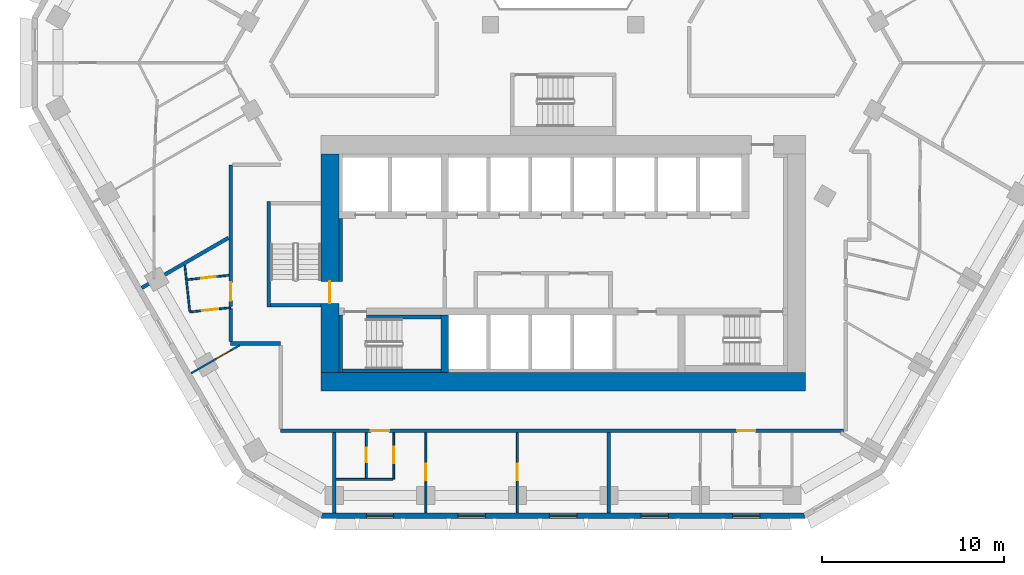
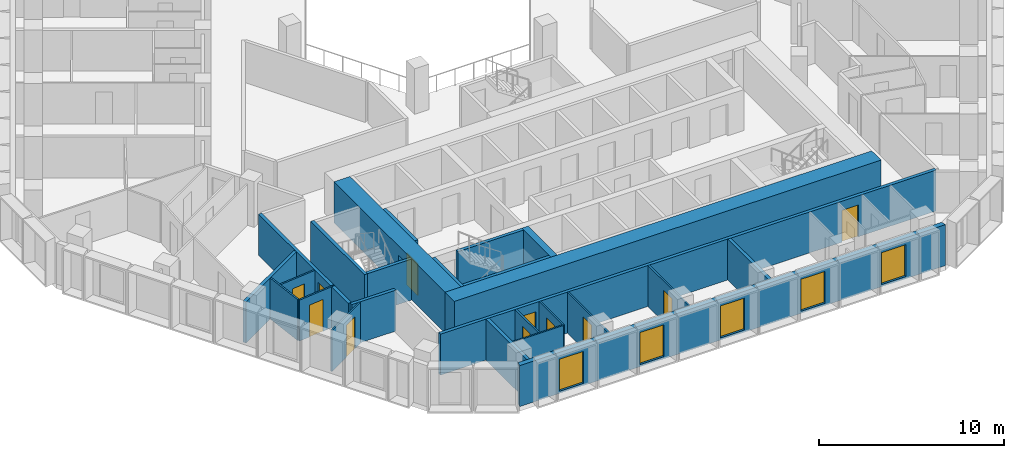
# One storey, part 3 of 15: 26 walls, 11 doors, 5 windows, 16 openings.
"""IFC4 building model written with IfcOpenShell, lengths in metres."""

import ifcopenshell
import ifcopenshell.guid

model = None  # the IFC model being written
_history = None  # IfcOwnerHistory: only IFC2X3 demands one
_inside = {}  # id of a spatial element -> (the spatial element, [elements in it])
_under = {}  # id of a project, library or spatial element -> (it, [spatial elements below it])
_declared = {}  # id of a project -> (the project, [libraries it declares])
_typed = {}  # id of a type object -> (the type object, [elements of that type])
_made_of = {}  # id of a material, layer set ... -> (it, [elements and type objects made of it])


def new_model(schema):
    """Start an empty IFC model of exactly this schema.

    Asked for "IFC4X3", IfcOpenShell would pick the latest addendum, in which some entities
    have other attributes; the version numbers below select the first issue.
    IFC2X3 requires an IfcOwnerHistory on every rooted entity: one is made here for all.
    """
    global model, _history
    if schema == "IFC4X3":
        model = ifcopenshell.file(schema_version=(4, 3, 0, 0))
    else:
        model = ifcopenshell.file(schema=schema)
    _inside.clear()
    _under.clear()
    _declared.clear()
    _typed.clear()
    _made_of.clear()
    _history = None
    if model.schema == "IFC2X3":
        org = make("IfcOrganization", Name="unknown")
        user = make(
            "IfcPersonAndOrganization",
            ThePerson=make("IfcPerson", FamilyName="unknown"),
            TheOrganization=org,
        )
        app = make(
            "IfcApplication",
            ApplicationDeveloper=org,
            Version="unknown",
            ApplicationFullName="unknown",
            ApplicationIdentifier="unknown",
        )
        _history = make(
            "IfcOwnerHistory",
            OwningUser=user,
            OwningApplication=app,
            ChangeAction="ADDED",
            CreationDate=0,
        )
    return model


def make(cls, **values):
    """One entity of the class cls with the attributes given. An attribute that is None is left unset."""
    return model.create_entity(
        cls, **{name: value for name, value in values.items() if value is not None}
    )


def rooted(cls, **values):
    """An entity with a GlobalId (a new one), such as an element, a storey or a relation."""
    return make(cls, GlobalId=ifcopenshell.guid.new(), OwnerHistory=_history, **values)


def si_unit(unit_type, name, prefix=None):
    """IfcSIUnit, for example si_unit("LENGTHUNIT", "METRE", prefix="MILLI")."""
    return make("IfcSIUnit", UnitType=unit_type, Prefix=prefix, Name=name)


def assignment(units):
    """IfcUnitAssignment: the units of a project."""
    return None if units is None else make("IfcUnitAssignment", Units=units)


def point(xyz):
    """IfcCartesianPoint."""
    return None if xyz is None else make("IfcCartesianPoint", Coordinates=xyz)


def direction(xyz):
    """IfcDirection."""
    return None if xyz is None else make("IfcDirection", DirectionRatios=xyz)


def frame(location, z_axis=None, x_axis=None):
    """IfcAxis2Placement3D, a coordinate frame: its origin and axes. An axis left out is left unset."""
    return make(
        "IfcAxis2Placement3D",
        Location=point(location),
        Axis=direction(z_axis),
        RefDirection=direction(x_axis),
    )


def frame_2d(location, x_axis=None):
    """IfcAxis2Placement2D, a coordinate frame in the plane: its origin and x axis."""
    return make(
        "IfcAxis2Placement2D", Location=point(location), RefDirection=direction(x_axis)
    )


def origin():
    """The frame at (0, 0, 0) with its axes left unset."""
    return frame((0.0, 0.0, 0.0))


def place(relative_to, where):
    """IfcLocalPlacement: puts the frame where relative to a parent placement (None: the world)."""
    return make(
        "IfcLocalPlacement", PlacementRelTo=relative_to, RelativePlacement=where
    )


def context(
    kind, dimensions, precision=None, world=None, true_north=None, identifier=None
):
    """IfcGeometricRepresentationContext, for example the 3D "Model" context."""
    return make(
        "IfcGeometricRepresentationContext",
        ContextIdentifier=identifier,
        ContextType=kind,
        CoordinateSpaceDimension=dimensions,
        Precision=precision,
        WorldCoordinateSystem=world,
        TrueNorth=true_north,
    )


def subcontext(parent, identifier, kind, view, scale=None):
    """IfcGeometricRepresentationSubContext, for example "Body" below "Model"."""
    return make(
        "IfcGeometricRepresentationSubContext",
        ContextIdentifier=identifier,
        ContextType=kind,
        ParentContext=parent,
        TargetScale=scale,
        TargetView=view,
    )


def project(units=None, contexts=None):
    """IfcProject with its units and contexts."""
    return rooted(
        "IfcProject",
        Name="project",
        RepresentationContexts=contexts,
        UnitsInContext=assignment(units),
    )


def spatial(cls, under=None, at=None, **own):
    """A site, building, storey or space (cls), placed at a placement, below another one or the project."""
    s = rooted(cls, ObjectPlacement=at, **own)
    if under is not None:
        _under.setdefault(under.id(), (under, []))[1].append(s)
    return s


def polyline(points):
    """IfcPolyline through the points."""
    return make("IfcPolyline", Points=[point(p) for p in points])


def profile(cls, at=None, kind="AREA", **sizes):
    """A parametric profile (cls). Its sizes go by their IFC names, for example OverallWidth=200.0."""
    return make(cls, ProfileType=kind, Position=at, **sizes)


def rectangle(**sizes):
    """IfcRectangleProfileDef."""
    return profile("IfcRectangleProfileDef", **sizes)


def outline(outer, holes=None, kind="AREA"):
    """IfcArbitraryClosedProfileDef: a profile drawn as a closed curve; with holes, ...WithVoids."""
    if holes is None:
        return make("IfcArbitraryClosedProfileDef", ProfileType=kind, OuterCurve=outer)
    return make(
        "IfcArbitraryProfileDefWithVoids",
        ProfileType=kind,
        OuterCurve=outer,
        InnerCurves=holes,
    )


def extrude(swept, where, along, depth):
    """IfcExtrudedAreaSolid: the profile swept, set in the frame where, extruded along a direction by depth."""
    return make(
        "IfcExtrudedAreaSolid",
        SweptArea=swept,
        Position=where,
        ExtrudedDirection=direction(along),
        Depth=depth,
    )


def shape(context_of_items, identifier, shape_type, items):
    """IfcShapeRepresentation: the items that make up one representation, for example the "Body"."""
    return make(
        "IfcShapeRepresentation",
        ContextOfItems=context_of_items,
        RepresentationIdentifier=identifier,
        RepresentationType=shape_type,
        Items=items,
    )


def material(Name=None, Category=None):
    """IfcMaterial."""
    return make("IfcMaterial", Name=Name, Category=Category)


def layer(
    of_material, thickness, ventilated=None, Name=None, Category=None, Priority=None
):
    """IfcMaterialLayer: one layer of a wall or slab, of a material (None: an air gap)."""
    return make(
        "IfcMaterialLayer",
        Material=of_material,
        LayerThickness=thickness,
        IsVentilated=ventilated,
        Name=Name,
        Category=Category,
        Priority=Priority,
    )


def layer_set(layers, Name=None):
    """IfcMaterialLayerSet."""
    return make("IfcMaterialLayerSet", MaterialLayers=layers, LayerSetName=Name)


def made_of(thing, what):
    """Note that an element or type object is made of a material, layer set ...; save() writes the relation."""
    if what is not None:
        _made_of.setdefault(what.id(), (what, []))[1].append(thing)
    return thing


def type_object(cls, material=None, **own):
    """A type object (cls), such as IfcWallType, which elements share."""
    return made_of(rooted(cls, **own), material)


def element(
    cls,
    number,
    at=None,
    inside=None,
    cuts=None,
    type_object=None,
    material=None,
    context=None,
    identifier="Body",
    shape_type=None,
    held_by="IfcProductDefinitionShape",
    body=None,
    shapes=None,
    **own,
):
    """One element of the class cls, such as IfcWall. Its Tag is "e" and its number.

    at: its placement. inside: the storey or other place that contains it. cuts: it is an
    opening in that element (IfcRelVoidsElement). A single representation is given by context,
    identifier, shape_type and body (its items); several are given by shapes. held_by: the class
    of the entity that holds the representations. save() writes the other relations.
    """
    e = rooted(cls, Tag="e%d" % number, ObjectPlacement=at, **own)
    if body is not None:
        shapes = [shape(context, identifier, shape_type, body)]
    if shapes is not None:
        e.Representation = make(held_by, Representations=shapes)
    if inside is not None:
        _inside.setdefault(inside.id(), (inside, []))[1].append(e)
    if cuts is not None:
        rooted(
            "IfcRelVoidsElement", RelatingBuildingElement=cuts, RelatedOpeningElement=e
        )
    if type_object is not None:
        _typed.setdefault(type_object.id(), (type_object, []))[1].append(e)
    return made_of(e, material)


def fill(opening, filler):
    """IfcRelFillsElement: the door or window that sits in an opening."""
    return rooted(
        "IfcRelFillsElement",
        RelatingOpeningElement=opening,
        RelatedBuildingElement=filler,
    )


def aggregate(whole, parts):
    """IfcRelAggregates: a whole, such as a stair, and the parts it consists of."""
    return rooted("IfcRelAggregates", RelatingObject=whole, RelatedObjects=parts)


def save(model, path):
    """Write the relations noted so far, then the file.

    IfcRelAggregates (storeys below a building ...), IfcRelContainedInSpatialStructure (elements
    in a storey), IfcRelDefinesByType, IfcRelAssociatesMaterial and IfcRelDeclares: one each for
    every whole, place, type object, material and project.
    """
    for whole, parts in _under.values():
        aggregate(whole, parts)
    for where, things in _inside.values():
        rooted(
            "IfcRelContainedInSpatialStructure",
            RelatedElements=things,
            RelatingStructure=where,
        )
    for kind, things in _typed.values():
        rooted("IfcRelDefinesByType", RelatedObjects=things, RelatingType=kind)
    for what, things in _made_of.values():
        rooted("IfcRelAssociatesMaterial", RelatedObjects=things, RelatingMaterial=what)
    for by, libraries in _declared.values():
        rooted("IfcRelDeclares", RelatingContext=by, RelatedDefinitions=libraries)
    model.write(path)


model = new_model("IFC4")

# Units and contexts
model_context = context("Model", 3, precision=1e-05, world=origin(), true_north=direction((0.0, 1.0)))
body_context = subcontext(model_context, "Body", "Model", "MODEL_VIEW")
ifc_project = project(units=[si_unit("LENGTHUNIT", "METRE"), si_unit("AREAUNIT", "SQUARE_METRE"), si_unit("VOLUMEUNIT", "CUBIC_METRE"), si_unit("PLANEANGLEUNIT", "RADIAN"), si_unit("MASSUNIT", "GRAM", prefix="KILO")], contexts=[model_context])

# Site, building, storey
site_placement = place(None, origin())
site = spatial("IfcSite", under=ifc_project, at=site_placement, CompositionType="ELEMENT")
building_placement = place(site_placement, origin())
building = spatial("IfcBuilding", under=site, at=building_placement, Name="Beryl Residences", CompositionType="ELEMENT")
storey_placement = place(building_placement, frame((0.0, 0.0, 102.0)))
storey = spatial("IfcBuildingStorey", under=building, at=storey_placement, Name="L31", CompositionType="ELEMENT", Elevation=102.0)

# Wall, openings, windows
ifc_material_1 = material(Name="Composite metal panel with mineral wool insulation")
ifc_layer_1 = layer(ifc_material_1, 0.300048828125)
ifc_layer_set_1 = layer_set([ifc_layer_1], Name="ES1 pale metal composite panel wall 300 mm")
wall_type_1 = type_object("IfcWallType", Name="ES1 pale metal composite panel wall 300 mm", PredefinedType="SOLIDWALL", material=ifc_layer_set_1)
wall_1_placement = place(storey_placement, frame((-13.279052734375, -25.85009765625, 0.0), z_axis=(0.0, 0.0, 1.0), x_axis=(1.0, 0.0, 0.0)))
wall_1 = element("IfcWall", 1, at=wall_1_placement, inside=storey, type_object=wall_type_1, Name="ES1 external wall L31 S", PredefinedType="SOLIDWALL", context=body_context, shape_type="SweptSolid", body=[
    extrude(outline(polyline([(0.0, -0.14990234375), (26.55810546875, -0.14990234375), (26.477783203125, 0.14990234375), (0.080322265625, 0.14990234375), (0.0, -0.14990234375)])), origin(), (0.0, 0.0, 1.0), 2.699951171875),
])
opening_1_placement = place(wall_1_placement, frame((2.48291015625, 0.0, 0.14990234375)))
opening_1 = element("IfcOpeningElement", 2, at=opening_1_placement, cuts=wall_1, Name="Opening W1", PredefinedType="OPENING", context=body_context, shape_type="SweptSolid", body=[
    extrude(rectangle(XDim=1.5, YDim=2.10009765625, at=frame_2d((0.75, 1.050048828125))), frame((0.0, 0.159912109375, 0.0), z_axis=(0.0, -1.0, 0.0), x_axis=(1.0, 0.0, 0.0)), (0.0, 0.0, 1.0), 0.320068359375),
])
opening_2_placement = place(wall_1_placement, frame((7.507080078125, 0.0, 0.14990234375)))
opening_2 = element("IfcOpeningElement", 3, at=opening_2_placement, cuts=wall_1, Name="Opening W1", PredefinedType="OPENING", context=body_context, shape_type="SweptSolid", body=[
    extrude(rectangle(XDim=1.5, YDim=2.10009765625, at=frame_2d((0.75, 1.050048828125))), frame((0.0, 0.159912109375, 0.0), z_axis=(0.0, -1.0, 0.0), x_axis=(1.0, 0.0, 0.0)), (0.0, 0.0, 1.0), 0.320068359375),
])
opening_3_placement = place(wall_1_placement, frame((12.529052734375, 0.0, 0.14990234375)))
opening_3 = element("IfcOpeningElement", 4, at=opening_3_placement, cuts=wall_1, Name="Opening W1", PredefinedType="OPENING", context=body_context, shape_type="SweptSolid", body=[
    extrude(rectangle(XDim=1.5, YDim=2.10009765625, at=frame_2d((0.75, 1.050048828125))), frame((0.0, 0.159912109375, 0.0), z_axis=(0.0, -1.0, 0.0), x_axis=(1.0, 0.0, 0.0)), (0.0, 0.0, 1.0), 0.320068359375),
])
opening_4_placement = place(wall_1_placement, frame((17.552978515625, 0.0, 0.14990234375)))
opening_4 = element("IfcOpeningElement", 5, at=opening_4_placement, cuts=wall_1, Name="Opening W1", PredefinedType="OPENING", context=body_context, shape_type="SweptSolid", body=[
    extrude(rectangle(XDim=1.5, YDim=2.10009765625, at=frame_2d((0.75, 1.050048828125))), frame((0.0, 0.159912109375, 0.0), z_axis=(0.0, -1.0, 0.0), x_axis=(1.0, 0.0, 0.0)), (0.0, 0.0, 1.0), 0.320068359375),
])
opening_5_placement = place(wall_1_placement, frame((22.574951171875, 0.0, 0.14990234375)))
opening_5 = element("IfcOpeningElement", 6, at=opening_5_placement, cuts=wall_1, Name="Opening W1", PredefinedType="OPENING", context=body_context, shape_type="SweptSolid", body=[
    extrude(rectangle(XDim=1.5, YDim=2.10009765625, at=frame_2d((0.75, 1.050048828125))), frame((0.0, 0.159912109375, 0.0), z_axis=(0.0, -1.0, 0.0), x_axis=(1.0, 0.0, 0.0)), (0.0, 0.0, 1.0), 0.320068359375),
])
ifc_material_2 = material(Name="Aluminium and clear glass", Category="aluminium")
window_type = type_object("IfcWindowType", Name="W1 cell window 1500 x 2100 mm", PartitioningType="SINGLE_PANEL", PredefinedType="WINDOW", material=ifc_material_2)
window_1_placement = place(opening_1_placement, origin())
window_1 = element("IfcWindow", 7, at=window_1_placement, inside=storey, type_object=window_type, Name="W1 window L31 S 2", OverallHeight=2.10009765625, OverallWidth=1.5, PartitioningType="SINGLE_PANEL", PredefinedType="WINDOW", context=body_context, shape_type="SweptSolid", body=[
    extrude(rectangle(XDim=1.5, YDim=2.10009765625, at=frame_2d((0.75, 1.050048828125))), frame((0.0, 0.030029296875, 0.0), z_axis=(0.0, -1.0, 0.0), x_axis=(1.0, 0.0, 0.0)), (0.0, 0.0, 1.0), 0.06005859375),
])
fill(opening_1, window_1)
window_2_placement = place(opening_2_placement, origin())
window_2 = element("IfcWindow", 8, at=window_2_placement, inside=storey, type_object=window_type, Name="W1 window L31 S 4", OverallHeight=2.10009765625, OverallWidth=1.5, PartitioningType="SINGLE_PANEL", PredefinedType="WINDOW", context=body_context, shape_type="SweptSolid", body=[
    extrude(rectangle(XDim=1.5, YDim=2.10009765625, at=frame_2d((0.75, 1.050048828125))), frame((0.0, 0.030029296875, 0.0), z_axis=(0.0, -1.0, 0.0), x_axis=(1.0, 0.0, 0.0)), (0.0, 0.0, 1.0), 0.06005859375),
])
fill(opening_2, window_2)
window_3_placement = place(opening_3_placement, origin())
window_3 = element("IfcWindow", 9, at=window_3_placement, inside=storey, type_object=window_type, Name="W1 window L31 S 6", OverallHeight=2.10009765625, OverallWidth=1.5, PartitioningType="SINGLE_PANEL", PredefinedType="WINDOW", context=body_context, shape_type="SweptSolid", body=[
    extrude(rectangle(XDim=1.5, YDim=2.10009765625, at=frame_2d((0.75, 1.050048828125))), frame((0.0, 0.030029296875, 0.0), z_axis=(0.0, -1.0, 0.0), x_axis=(1.0, 0.0, 0.0)), (0.0, 0.0, 1.0), 0.06005859375),
])
fill(opening_3, window_3)
window_4_placement = place(opening_4_placement, origin())
window_4 = element("IfcWindow", 10, at=window_4_placement, inside=storey, type_object=window_type, Name="W1 window L31 S 8", OverallHeight=2.10009765625, OverallWidth=1.5, PartitioningType="SINGLE_PANEL", PredefinedType="WINDOW", context=body_context, shape_type="SweptSolid", body=[
    extrude(rectangle(XDim=1.5, YDim=2.10009765625, at=frame_2d((0.75, 1.050048828125))), frame((0.0, 0.030029296875, 0.0), z_axis=(0.0, -1.0, 0.0), x_axis=(1.0, 0.0, 0.0)), (0.0, 0.0, 1.0), 0.06005859375),
])
fill(opening_4, window_4)
window_5_placement = place(opening_5_placement, origin())
window_5 = element("IfcWindow", 11, at=window_5_placement, inside=storey, type_object=window_type, Name="W1 window L31 S 10", OverallHeight=2.10009765625, OverallWidth=1.5, PartitioningType="SINGLE_PANEL", PredefinedType="WINDOW", context=body_context, shape_type="SweptSolid", body=[
    extrude(rectangle(XDim=1.5, YDim=2.10009765625, at=frame_2d((0.75, 1.050048828125))), frame((0.0, 0.030029296875, 0.0), z_axis=(0.0, -1.0, 0.0), x_axis=(1.0, 0.0, 0.0)), (0.0, 0.0, 1.0), 0.06005859375),
])
fill(opening_5, window_5)

# Wall
ifc_material_3 = material(Name="Gypsum board partition on steel studs", Category="steel")
ifc_layer_2 = layer(ifc_material_3, 0.10009765625)
ifc_layer_set_2 = layer_set([ifc_layer_2], Name="PT1 partition 100 mm gypsum board on steel studs")
wall_type_2 = type_object("IfcWallType", Name="PT1 partition 100 mm gypsum board on steel studs", PredefinedType="PARTITIONING", material=ifc_layer_set_2)
wall_2_placement = place(storey_placement, frame((-20.761962890625, -12.10205078125, 0.0), z_axis=(0.0, 0.0, 1.0), x_axis=(0.106118300401, -0.994353511745, 0.0)))
element("IfcWall", 12, at=wall_2_placement, inside=storey, type_object=wall_type_2, Name="Wall PT1 L31 006", PredefinedType="PARTITIONING", context=body_context, shape_type="SweptSolid", body=[
    extrude(rectangle(XDim=2.535400390625, YDim=0.10009765625, at=frame_2d((1.267578125, 0.0))), origin(), (0.0, 0.0, 1.0), 2.699951171875),
])

# Wall, opening, door
wall_3_placement = place(storey_placement, frame((-7.533935546875, -21.300048828125, 0.0), z_axis=(0.0, 0.0, 1.0), x_axis=(0.0, -1.0, 0.0)))
wall_3 = element("IfcWall", 13, at=wall_3_placement, inside=storey, type_object=wall_type_2, Name="Wall PT1 L31 010", PredefinedType="PARTITIONING", context=body_context, shape_type="SweptSolid", body=[
    extrude(rectangle(XDim=4.39990234375, YDim=0.10009765625, at=frame_2d((2.199951171875, 0.0))), origin(), (0.0, 0.0, 1.0), 2.699951171875),
])
opening_6_placement = place(wall_3_placement, frame((1.699951171875, 0.0, 0.0)))
opening_6 = element("IfcOpeningElement", 14, at=opening_6_placement, cuts=wall_3, Name="Opening D0904", PredefinedType="OPENING", context=body_context, shape_type="SweptSolid", body=[
    extrude(rectangle(XDim=0.89990234375, YDim=2.10009765625, at=frame_2d((0.449951171875, 1.050048828125))), frame((0.0, 0.06005859375, 0.0), z_axis=(0.0, -1.0, 0.0), x_axis=(1.0, 0.0, 0.0)), (0.0, 0.0, 1.0), 0.1201171875),
])
ifc_material_4 = material(Name="Timber door leaf", Category="wood")
door_type_1 = type_object("IfcDoorType", Name="D2 room door 900 x 2100 mm", OperationType="SINGLE_SWING_LEFT", PredefinedType="DOOR", material=ifc_material_4)
door_1_placement = place(opening_6_placement, origin())
door_1 = element("IfcDoor", 15, at=door_1_placement, inside=storey, type_object=door_type_1, Name="Door D0904 L31 001", OperationType="SINGLE_SWING_RIGHT", OverallHeight=2.10009765625, OverallWidth=0.89990234375, PredefinedType="DOOR", context=body_context, shape_type="SweptSolid", body=[
    extrude(rectangle(XDim=0.89990234375, YDim=2.10009765625, at=frame_2d((0.449951171875, 1.050048828125))), frame((0.0, 0.02490234375, 0.0), z_axis=(0.0, -1.0, 0.0), x_axis=(1.0, 0.0, 0.0)), (0.0, 0.0, 1.0), 0.050048828125),
])
fill(opening_6, door_1)

# Wall
wall_4_placement = place(storey_placement, frame((-12.45703125, -23.860107421875, 0.0), z_axis=(0.0, 0.0, 1.0), x_axis=(1.0, 0.0, 0.0)))
element("IfcWall", 16, at=wall_4_placement, inside=storey, type_object=wall_type_2, Name="Wall PT1 L31 028", PredefinedType="PARTITIONING", context=body_context, shape_type="SweptSolid", body=[
    extrude(rectangle(XDim=3.114013671875, YDim=0.10009765625, at=frame_2d((1.55712890625, 0.0))), origin(), (0.0, 0.0, 1.0), 2.699951171875),
])

# Wall, opening, door
wall_5_placement = place(storey_placement, frame((-20.6259765625, -12.902099609375, 0.0), z_axis=(0.0, 0.0, 1.0), x_axis=(0.994385570266, 0.105817473257, 0.0)))
wall_5 = element("IfcWall", 17, at=wall_5_placement, inside=storey, type_object=wall_type_2, Name="Wall PT1 L31 033", PredefinedType="PARTITIONING", context=body_context, shape_type="SweptSolid", body=[
    extrude(rectangle(XDim=2.288818359375, YDim=0.10009765625, at=frame_2d((1.14453125, 0.0))), origin(), (0.0, 0.0, 1.0), 2.699951171875),
])
opening_7_placement = place(wall_5_placement, frame((0.77001953125, 0.0, 0.0)))
opening_7 = element("IfcOpeningElement", 18, at=opening_7_placement, cuts=wall_5, Name="Opening D0960", PredefinedType="OPENING", context=body_context, shape_type="SweptSolid", body=[
    extrude(rectangle(XDim=0.800048828125, YDim=2.10009765625, at=frame_2d((0.39990234375, 1.050048828125))), frame((0.0, 0.06005859375, 0.0), z_axis=(0.0, -1.0, 0.0), x_axis=(1.0, 0.0, 0.0)), (0.0, 0.0, 1.0), 0.1201171875),
])
ifc_material_5 = material(Name="Timber door leaf", Category="wood")
door_type_2 = type_object("IfcDoorType", Name="D3 bathroom door 800 x 2100 mm", OperationType="SINGLE_SWING_LEFT", PredefinedType="DOOR", material=ifc_material_5)
door_2_placement = place(opening_7_placement, origin())
door_2 = element("IfcDoor", 19, at=door_2_placement, inside=storey, type_object=door_type_2, Name="Door D0960 L31 001", OperationType="SINGLE_SWING_RIGHT", OverallHeight=2.10009765625, OverallWidth=0.800048828125, PredefinedType="DOOR", context=body_context, shape_type="SweptSolid", body=[
    extrude(rectangle(XDim=0.800048828125, YDim=2.10009765625, at=frame_2d((0.39990234375, 1.050048828125))), frame((0.0, 0.02490234375, 0.0), z_axis=(0.0, -1.0, 0.0), x_axis=(1.0, 0.0, 0.0)), (0.0, 0.0, 1.0), 0.050048828125),
])
fill(opening_7, door_2)

wall_6_placement = place(storey_placement, frame((-20.487060546875, -14.674072265625, 0.0), z_axis=(0.0, 0.0, 1.0), x_axis=(0.994386484046, 0.105808885948, 0.0)))
wall_6 = element("IfcWall", 20, at=wall_6_placement, inside=storey, type_object=wall_type_2, Name="Wall PT1 L31 034", PredefinedType="PARTITIONING", context=body_context, shape_type="SweptSolid", body=[
    extrude(rectangle(XDim=2.249755859375, YDim=0.10009765625, at=frame_2d((1.125, 0.0))), origin(), (0.0, 0.0, 1.0), 2.699951171875),
])
opening_8_placement = place(wall_6_placement, frame((0.674072265625, 0.0, 0.0)))
opening_8 = element("IfcOpeningElement", 21, at=opening_8_placement, cuts=wall_6, Name="Opening D0959", PredefinedType="OPENING", context=body_context, shape_type="SweptSolid", body=[
    extrude(rectangle(XDim=0.89990234375, YDim=2.10009765625, at=frame_2d((0.449951171875, 1.050048828125))), frame((0.0, 0.06005859375, 0.0), z_axis=(0.0, -1.0, 0.0), x_axis=(1.0, 0.0, 0.0)), (0.0, 0.0, 1.0), 0.1201171875),
])
door_3_placement = place(opening_8_placement, origin())
door_3 = element("IfcDoor", 22, at=door_3_placement, inside=storey, type_object=door_type_1, Name="Door D0959 L31 001", OperationType="SINGLE_SWING_LEFT", OverallHeight=2.10009765625, OverallWidth=0.89990234375, PredefinedType="DOOR", context=body_context, shape_type="SweptSolid", body=[
    extrude(rectangle(XDim=0.89990234375, YDim=2.10009765625, at=frame_2d((0.449951171875, 1.050048828125))), frame((0.0, 0.02490234375, 0.0), z_axis=(0.0, -1.0, 0.0), x_axis=(1.0, 0.0, 0.0)), (0.0, 0.0, 1.0), 0.050048828125),
])
fill(opening_8, door_3)

wall_7_placement = place(storey_placement, frame((-9.2919921875, -23.85888671875, 0.0), z_axis=(0.0, 0.0, 1.0), x_axis=(0.0, 1.0, 0.0)))
wall_7 = element("IfcWall", 23, at=wall_7_placement, inside=storey, type_object=wall_type_2, Name="Wall PT1 L31 053", PredefinedType="PARTITIONING", context=body_context, shape_type="SweptSolid", body=[
    extrude(rectangle(XDim=2.558837890625, YDim=0.10009765625, at=frame_2d((1.279296875, 0.0))), origin(), (0.0, 0.0, 1.0), 2.699951171875),
])
opening_9_placement = place(wall_7_placement, frame((0.87890625, 0.0, 0.0)))
opening_9 = element("IfcOpeningElement", 24, at=opening_9_placement, cuts=wall_7, Name="Opening D0902", PredefinedType="OPENING", context=body_context, shape_type="SweptSolid", body=[
    extrude(rectangle(XDim=0.89990234375, YDim=2.10009765625, at=frame_2d((0.449951171875, 1.050048828125))), frame((0.0, 0.06005859375, 0.0), z_axis=(0.0, -1.0, 0.0), x_axis=(1.0, 0.0, 0.0)), (0.0, 0.0, 1.0), 0.1201171875),
])
door_4_placement = place(opening_9_placement, origin())
door_4 = element("IfcDoor", 25, at=door_4_placement, inside=storey, type_object=door_type_1, Name="Door D0902 L31 001", OperationType="SINGLE_SWING_RIGHT", OverallHeight=2.10009765625, OverallWidth=0.89990234375, PredefinedType="DOOR", context=body_context, shape_type="SweptSolid", body=[
    extrude(rectangle(XDim=0.89990234375, YDim=2.10009765625, at=frame_2d((0.449951171875, 1.050048828125))), frame((0.0, 0.02490234375, 0.0), z_axis=(0.0, -1.0, 0.0), x_axis=(1.0, 0.0, 0.0)), (0.0, 0.0, 1.0), 0.050048828125),
])
fill(opening_9, door_4)

wall_8_placement = place(storey_placement, frame((-10.799072265625, -23.81005859375, 0.0), z_axis=(0.0, 0.0, 1.0), x_axis=(0.0, 1.0, 0.0)))
wall_8 = element("IfcWall", 26, at=wall_8_placement, inside=storey, type_object=wall_type_2, Name="Wall PT1 L31 054", PredefinedType="PARTITIONING", context=body_context, shape_type="SweptSolid", body=[
    extrude(rectangle(XDim=2.510009765625, YDim=0.10009765625, at=frame_2d((1.2548828125, 0.0))), origin(), (0.0, 0.0, 1.0), 2.699951171875),
])
opening_10_placement = place(wall_8_placement, frame((0.8798828125, 0.0, 0.0)))
opening_10 = element("IfcOpeningElement", 27, at=opening_10_placement, cuts=wall_8, Name="Opening D0903", PredefinedType="OPENING", context=body_context, shape_type="SweptSolid", body=[
    extrude(rectangle(XDim=0.800048828125, YDim=2.10009765625, at=frame_2d((0.39990234375, 1.050048828125))), frame((0.0, 0.06005859375, 0.0), z_axis=(0.0, -1.0, 0.0), x_axis=(1.0, 0.0, 0.0)), (0.0, 0.0, 1.0), 0.1201171875),
])
door_5_placement = place(opening_10_placement, origin())
door_5 = element("IfcDoor", 28, at=door_5_placement, inside=storey, type_object=door_type_2, Name="Door D0903 L31 001", OperationType="SINGLE_SWING_LEFT", OverallHeight=2.10009765625, OverallWidth=0.800048828125, PredefinedType="DOOR", context=body_context, shape_type="SweptSolid", body=[
    extrude(rectangle(XDim=0.800048828125, YDim=2.10009765625, at=frame_2d((0.39990234375, 1.050048828125))), frame((0.0, 0.02490234375, 0.0), z_axis=(0.0, -1.0, 0.0), x_axis=(1.0, 0.0, 0.0)), (0.0, 0.0, 1.0), 0.050048828125),
])
fill(opening_10, door_5)

wall_9_placement = place(storey_placement, frame((-2.510986328125, -25.699951171875, 0.0), z_axis=(0.0, 0.0, 1.0), x_axis=(0.0, 1.0, 0.0)))
wall_9 = element("IfcWall", 29, at=wall_9_placement, inside=storey, type_object=wall_type_2, Name="Wall PT1 L31 056", PredefinedType="PARTITIONING", context=body_context, shape_type="SweptSolid", body=[
    extrude(rectangle(XDim=4.39990234375, YDim=0.10009765625, at=frame_2d((2.199951171875, 0.0))), origin(), (0.0, 0.0, 1.0), 2.699951171875),
])
opening_11_placement = place(wall_9_placement, frame((1.800048828125, 0.0, 0.0)))
opening_11 = element("IfcOpeningElement", 30, at=opening_11_placement, cuts=wall_9, Name="Opening D0905", PredefinedType="OPENING", context=body_context, shape_type="SweptSolid", body=[
    extrude(rectangle(XDim=0.89990234375, YDim=2.10009765625, at=frame_2d((0.449951171875, 1.050048828125))), frame((0.0, 0.06005859375, 0.0), z_axis=(0.0, -1.0, 0.0), x_axis=(1.0, 0.0, 0.0)), (0.0, 0.0, 1.0), 0.1201171875),
])
door_6_placement = place(opening_11_placement, origin())
door_6 = element("IfcDoor", 31, at=door_6_placement, inside=storey, type_object=door_type_1, Name="Door D0905 L31 001", OperationType="SINGLE_SWING_LEFT", OverallHeight=2.10009765625, OverallWidth=0.89990234375, PredefinedType="DOOR", context=body_context, shape_type="SweptSolid", body=[
    extrude(rectangle(XDim=0.89990234375, YDim=2.10009765625, at=frame_2d((0.449951171875, 1.050048828125))), frame((0.0, 0.02490234375, 0.0), z_axis=(0.0, -1.0, 0.0), x_axis=(1.0, 0.0, 0.0)), (0.0, 0.0, 1.0), 0.050048828125),
])
fill(opening_11, door_6)

wall_10_placement = place(storey_placement, frame((-20.416015625, -18.0380859375, 0.0), z_axis=(0.0, 0.0, 1.0), x_axis=(0.866026989333, 0.499997253739, 0.0)))
wall_10 = element("IfcWall", 32, at=wall_10_placement, inside=storey, type_object=wall_type_2, Name="Wall PT1 L31 059", PredefinedType="PARTITIONING", context=body_context, shape_type="SweptSolid", body=[
    extrude(rectangle(XDim=3.076171875, YDim=0.10009765625, at=frame_2d((1.5380859375, 0.0))), origin(), (0.0, 0.0, 1.0), 2.699951171875),
])
opening_12_placement = place(wall_10_placement, frame((1.587890625, 0.0, 0.0)))
opening_12 = element("IfcOpeningElement", 33, at=opening_12_placement, cuts=wall_10, Name="Opening D0961", PredefinedType="OPENING", context=body_context, shape_type="SweptSolid", body=[
    extrude(rectangle(XDim=0.89990234375, YDim=2.10009765625, at=frame_2d((0.449951171875, 1.050048828125))), frame((0.0, 0.06005859375, 0.0), z_axis=(0.0, -1.0, 0.0), x_axis=(1.0, 0.0, 0.0)), (0.0, 0.0, 1.0), 0.1201171875),
])
door_7_placement = place(opening_12_placement, origin())
door_7 = element("IfcDoor", 34, at=door_7_placement, inside=storey, type_object=door_type_1, Name="Door D0961 L31 001", OperationType="SINGLE_SWING_LEFT", OverallHeight=2.10009765625, OverallWidth=0.89990234375, PredefinedType="DOOR", context=body_context, shape_type="SweptSolid", body=[
    extrude(rectangle(XDim=0.89990234375, YDim=2.10009765625, at=frame_2d((0.449951171875, 1.050048828125))), frame((0.0, 0.02490234375, 0.0), z_axis=(0.0, -1.0, 0.0), x_axis=(1.0, 0.0, 0.0)), (0.0, 0.0, 1.0), 0.050048828125),
])
fill(opening_12, door_7)

# Walls
ifc_material_6 = material(Name="Concrete masonry", Category="masonry")
ifc_layer_3 = layer(ifc_material_6, 0.199951171875)
ifc_layer_set_3 = layer_set([ifc_layer_3], Name="PT13 lobby wall 200 mm")
wall_type_3 = type_object("IfcWallType", Name="PT13 lobby wall 200 mm", PredefinedType="PARTITIONING", material=ifc_layer_set_3)
wall_11_placement = place(storey_placement, frame((-12.199951171875, -13.0, 0.0), z_axis=(0.0, 0.0, 1.0), x_axis=(0.0, 1.0, 0.0)))
element("IfcWall", 35, at=wall_11_placement, inside=storey, type_object=wall_type_3, Name="Lobby wall 05", PredefinedType="PARTITIONING", context=body_context, shape_type="SweptSolid", body=[
    extrude(rectangle(XDim=3.449951171875, YDim=0.199951171875, at=frame_2d((1.72509765625, 0.0))), origin(), (0.0, 0.0, 1.0), 2.699951171875),
])
ifc_material_7 = material(Name="Acoustic double stud gypsum board wall")
ifc_layer_4 = layer(ifc_material_7, 0.199951171875)
ifc_layer_set_4 = layer_set([ifc_layer_4], Name="PT3 party wall 200 mm acoustic double stud")
wall_type_4 = type_object("IfcWallType", Name="PT3 party wall 200 mm acoustic double stud", PredefinedType="PARTITIONING", material=ifc_layer_set_4)
for number, where, z_axis, x_axis, name in (
    (36, (2.511962890625, -25.699951171875, 0.0), (0.0, 0.0, 1.0), (0.0, 1.0, 0.0), "Wall PT3 L31 007"),
    (37, (-12.556884765625, -25.699951171875, 0.0), (0.0, 0.0, 1.0), (0.0, 1.0, 0.0), "Wall PT3 L31 009"),
):
    element("IfcWall", number, at=place(storey_placement, frame(where, z_axis=z_axis, x_axis=x_axis)), inside=storey, type_object=wall_type_4, Name=name, PredefinedType="PARTITIONING", context=body_context, shape_type="SweptSolid", body=[
        extrude(rectangle(XDim=4.39990234375, YDim=0.199951171875, at=frame_2d((2.199951171875, 0.0))), origin(), (0.0, 0.0, 1.0), 2.699951171875),
    ])
wall_12_placement = place(storey_placement, frame((-23.123046875, -13.35009765625, 0.0), z_axis=(0.0, 0.0, 1.0), x_axis=(0.866013095437, 0.500021318078, 0.0)))
element("IfcWall", 38, at=wall_12_placement, inside=storey, type_object=wall_type_4, Name="Wall PT3 L31 010", PredefinedType="PARTITIONING", context=body_context, shape_type="SweptSolid", body=[
    extrude(rectangle(XDim=5.491943359375, YDim=0.199951171875, at=frame_2d((2.74609375, 0.0))), origin(), (0.0, 0.0, 1.0), 2.699951171875),
])
ifc_material_8 = material(Name="Double stud gypsum board wall")
ifc_layer_5 = layer(ifc_material_8, 0.199951171875)
ifc_layer_set_5 = layer_set([ifc_layer_5], Name="PT4 corridor wall 200 mm double stud")
wall_type_5 = type_object("IfcWallType", Name="PT4 corridor wall 200 mm double stud", PredefinedType="PARTITIONING", material=ifc_layer_set_5)
wall_13_placement = place(storey_placement, frame((-18.25, -14.486083984375, 0.0), z_axis=(0.0, 0.0, 1.0), x_axis=(0.0, -1.0, 0.0)))
element("IfcWall", 39, at=wall_13_placement, inside=storey, type_object=wall_type_5, Name="Wall PT4 L31 008", PredefinedType="PARTITIONING", context=body_context, shape_type="SweptSolid", body=[
    extrude(rectangle(XDim=1.81298828125, YDim=0.199951171875, at=frame_2d((0.906494140625, 0.0))), origin(), (0.0, 0.0, 1.0), 2.699951171875),
])
wall_14_placement = place(storey_placement, frame((-18.2490234375, -16.39990234375, 0.0), z_axis=(0.0, 0.0, 1.0), x_axis=(1.0, 0.0, 0.0)))
element("IfcWall", 40, at=wall_14_placement, inside=storey, type_object=wall_type_5, Name="Wall PT4 L31 015", PredefinedType="PARTITIONING", context=body_context, shape_type="SweptSolid", body=[
    extrude(rectangle(XDim=2.748046875, YDim=0.199951171875, at=frame_2d((1.3740234375, 0.0))), origin(), (0.0, 0.0, 1.0), 2.699951171875),
])

# Wall, openings, doors
wall_15_placement = place(storey_placement, frame((-15.4990234375, -21.199951171875, 0.0), z_axis=(0.0, 0.0, 1.0), x_axis=(1.0, 0.0, 0.0)))
wall_15 = element("IfcWall", 41, at=wall_15_placement, inside=storey, type_object=wall_type_5, Name="Wall PT4 L31 016", PredefinedType="PARTITIONING", context=body_context, shape_type="SweptSolid", body=[
    extrude(rectangle(XDim=30.89794921875, YDim=0.199951171875, at=frame_2d((15.448974609375, 0.0))), origin(), (0.0, 0.0, 1.0), 2.699951171875),
])
opening_13_placement = place(wall_15_placement, frame((4.9541015625, 0.0, 0.0)))
opening_13 = element("IfcOpeningElement", 42, at=opening_13_placement, cuts=wall_15, Name="Opening D0901", PredefinedType="OPENING", context=body_context, shape_type="SweptSolid", body=[
    extrude(rectangle(XDim=1.0, YDim=2.10009765625, at=frame_2d((0.5, 1.050048828125))), frame((0.0, 0.10986328125, 0.0), z_axis=(0.0, -1.0, 0.0), x_axis=(1.0, 0.0, 0.0)), (0.0, 0.0, 1.0), 0.219970703125),
])
opening_14_placement = place(wall_15_placement, frame((25.0458984375, 0.0, 0.0)))
opening_14 = element("IfcOpeningElement", 43, at=opening_14_placement, cuts=wall_15, Name="Opening D0906", PredefinedType="OPENING", context=body_context, shape_type="SweptSolid", body=[
    extrude(rectangle(XDim=1.0, YDim=2.10009765625, at=frame_2d((0.5, 1.050048828125))), frame((0.0, 0.10986328125, 0.0), z_axis=(0.0, -1.0, 0.0), x_axis=(1.0, 0.0, 0.0)), (0.0, 0.0, 1.0), 0.219970703125),
])
ifc_material_9 = material(Name="Timber door leaf", Category="wood")
door_type_3 = type_object("IfcDoorType", Name="D1 flat entrance door 1000 x 2100 mm", OperationType="SINGLE_SWING_LEFT", PredefinedType="DOOR", material=ifc_material_9)
door_8_placement = place(opening_13_placement, origin())
door_8 = element("IfcDoor", 44, at=door_8_placement, inside=storey, type_object=door_type_3, Name="Door D0901 L31 001", OperationType="SINGLE_SWING_LEFT", OverallHeight=2.10009765625, OverallWidth=1.0, PredefinedType="DOOR", context=body_context, shape_type="SweptSolid", body=[
    extrude(rectangle(XDim=1.0, YDim=2.10009765625, at=frame_2d((0.5, 1.050048828125))), frame((0.0, 0.02490234375, 0.0), z_axis=(0.0, -1.0, 0.0), x_axis=(1.0, 0.0, 0.0)), (0.0, 0.0, 1.0), 0.050048828125),
])
fill(opening_13, door_8)
door_9_placement = place(opening_14_placement, origin())
door_9 = element("IfcDoor", 45, at=door_9_placement, inside=storey, type_object=door_type_3, Name="Door D0906 L31 001", OperationType="SINGLE_SWING_RIGHT", OverallHeight=2.10009765625, OverallWidth=1.0, PredefinedType="DOOR", context=body_context, shape_type="SweptSolid", body=[
    extrude(rectangle(XDim=1.0, YDim=2.10009765625, at=frame_2d((0.5, 1.050048828125))), frame((0.0, 0.02490234375, 0.0), z_axis=(0.0, -1.0, 0.0), x_axis=(1.0, 0.0, 0.0)), (0.0, 0.0, 1.0), 0.050048828125),
])
fill(opening_14, door_9)

# Wall, opening, door
wall_16_placement = place(storey_placement, frame((-18.25, -14.385986328125, 0.0), z_axis=(0.0, 0.0, 1.0), x_axis=(0.0, 1.0, 0.0)))
wall_16 = element("IfcWall", 46, at=wall_16_placement, inside=storey, type_object=wall_type_5, Name="Wall PT4 L31 034", PredefinedType="PARTITIONING", context=body_context, shape_type="SweptSolid", body=[
    extrude(rectangle(XDim=7.785888671875, YDim=0.199951171875, at=frame_2d((3.89306640625, 0.0))), origin(), (0.0, 0.0, 1.0), 2.699951171875),
])
opening_15_placement = place(wall_16_placement, frame((0.340087890625, 0.0, 0.0)))
opening_15 = element("IfcOpeningElement", 47, at=opening_15_placement, cuts=wall_16, Name="Opening D0958", PredefinedType="OPENING", context=body_context, shape_type="SweptSolid", body=[
    extrude(rectangle(XDim=1.0, YDim=2.10009765625, at=frame_2d((0.5, 1.050048828125))), frame((0.0, 0.10986328125, 0.0), z_axis=(0.0, -1.0, 0.0), x_axis=(1.0, 0.0, 0.0)), (0.0, 0.0, 1.0), 0.219970703125),
])
door_10_placement = place(opening_15_placement, origin())
door_10 = element("IfcDoor", 48, at=door_10_placement, inside=storey, type_object=door_type_3, Name="Door D0958 L31 001", OperationType="SINGLE_SWING_RIGHT", OverallHeight=2.10009765625, OverallWidth=1.0, PredefinedType="DOOR", context=body_context, shape_type="SweptSolid", body=[
    extrude(rectangle(XDim=1.0, YDim=2.10009765625, at=frame_2d((0.5, 1.050048828125))), frame((0.0, 0.02490234375, 0.0), z_axis=(0.0, -1.0, 0.0), x_axis=(1.0, 0.0, 0.0)), (0.0, 0.0, 1.0), 0.050048828125),
])
fill(opening_15, door_10)

# Walls
ifc_material_10 = material(Name="Concrete C40/50", Category="concrete")
ifc_layer_6 = layer(ifc_material_10, 0.199951171875)
ifc_layer_set_6 = layer_set([ifc_layer_6], Name="PT5 stair enclosure wall 200 mm reinforced concrete C40/50")
wall_type_6 = type_object("IfcWallType", Name="PT5 stair enclosure wall 200 mm reinforced concrete C40/50", PredefinedType="SOLIDWALL", material=ifc_layer_set_6)
wall_17_placement = place(storey_placement, frame((-16.14990234375, -14.39990234375, 0.0), z_axis=(0.0, 0.0, 1.0), x_axis=(0.0, 1.0, 0.0)))
element("IfcWall", 49, at=wall_17_placement, inside=storey, type_object=wall_type_6, Name="Stair wall 01", PredefinedType="SOLIDWALL", context=body_context, shape_type="SweptSolid", body=[
    extrude(rectangle(XDim=5.7998046875, YDim=0.199951171875, at=frame_2d((2.89990234375, 0.0))), origin(), (0.0, 0.0, 1.0), 2.699951171875),
])
wall_18_placement = place(storey_placement, frame((-16.050048828125, -14.300048828125, 0.0), z_axis=(0.0, 0.0, 1.0), x_axis=(1.0, 0.0, 0.0)))
element("IfcWall", 50, at=wall_18_placement, inside=storey, type_object=wall_type_6, Name="Stair wall 02", PredefinedType="SOLIDWALL", context=body_context, shape_type="SweptSolid", body=[
    extrude(rectangle(XDim=2.75, YDim=0.199951171875, at=frame_2d((1.375, 0.0))), origin(), (0.0, 0.0, 1.0), 2.699951171875),
])
wall_19_placement = place(storey_placement, frame((-12.199951171875, -18.0, 0.0), z_axis=(0.0, 0.0, 1.0), x_axis=(0.0, 1.0, 0.0)))
element("IfcWall", 51, at=wall_19_placement, inside=storey, type_object=wall_type_6, Name="Stair wall 04", PredefinedType="SOLIDWALL", context=body_context, shape_type="SweptSolid", body=[
    extrude(rectangle(XDim=3.14990234375, YDim=0.199951171875, at=frame_2d((1.574951171875, 0.0))), origin(), (0.0, 0.0, 1.0), 2.699951171875),
])
wall_20_placement = place(storey_placement, frame((-12.10009765625, -17.89990234375, 0.0), z_axis=(0.0, 0.0, 1.0), x_axis=(1.0, 0.0, 0.0)))
element("IfcWall", 52, at=wall_20_placement, inside=storey, type_object=wall_type_6, Name="Stair wall 07", PredefinedType="SOLIDWALL", context=body_context, shape_type="SweptSolid", body=[
    extrude(rectangle(XDim=5.400146484375, YDim=0.199951171875, at=frame_2d((2.7001953125, 0.0))), origin(), (0.0, 0.0, 1.0), 2.699951171875),
])
wall_21_placement = place(storey_placement, frame((-10.800048828125, -14.949951171875, 0.0), z_axis=(0.0, 0.0, 1.0), x_axis=(1.0, 0.0, 0.0)))
element("IfcWall", 53, at=wall_21_placement, inside=storey, type_object=wall_type_6, Name="Stair wall 09", PredefinedType="SOLIDWALL", context=body_context, shape_type="SweptSolid", body=[
    extrude(rectangle(XDim=4.10009765625, YDim=0.199951171875, at=frame_2d((2.050048828125, 0.0))), origin(), (0.0, 0.0, 1.0), 2.699951171875),
])
ifc_material_11 = material(Name="Concrete C70/85", Category="concrete")
ifc_layer_7 = layer(ifc_material_11, 1.0)
ifc_layer_set_7 = layer_set([ifc_layer_7], Name="SW2 core outer wall 1000 mm C70/85")
wall_type_7 = type_object("IfcWallType", Name="SW2 core outer wall 1000 mm C70/85", PredefinedType="SHEAR", material=ifc_layer_set_7)
wall_22_placement = place(storey_placement, frame((-13.300048828125, -18.5, 0.0), z_axis=(0.0, 0.0, 1.0), x_axis=(1.0, 0.0, 0.0)))
element("IfcWall", 54, at=wall_22_placement, inside=storey, type_object=wall_type_7, Name="Core wall S L31", PredefinedType="SHEAR", context=body_context, shape_type="SweptSolid", body=[
    extrude(rectangle(XDim=26.60009765625, YDim=1.0, at=frame_2d((13.300048828125, 0.0))), origin(), (0.0, 0.0, 1.0), 2.699951171875),
])

# Wall, opening, door
wall_23_placement = place(storey_placement, frame((-12.800048828125, -18.0, 0.0), z_axis=(0.0, 0.0, 1.0), x_axis=(0.0, 1.0, 0.0)))
wall_23 = element("IfcWall", 55, at=wall_23_placement, inside=storey, type_object=wall_type_7, Name="Core wall W L31", PredefinedType="SHEAR", context=body_context, shape_type="SweptSolid", body=[
    extrude(rectangle(XDim=12.0, YDim=1.0, at=frame_2d((6.0, 0.0))), origin(), (0.0, 0.0, 1.0), 2.699951171875),
])
opening_16_placement = place(wall_23_placement, frame((3.800048828125, 0.0, 0.0)))
opening_16 = element("IfcOpeningElement", 56, at=opening_16_placement, cuts=wall_23, Name="Opening SD-2", PredefinedType="OPENING", context=body_context, shape_type="SweptSolid", body=[
    extrude(rectangle(XDim=1.199951171875, YDim=2.10009765625, at=frame_2d((0.60009765625, 1.050048828125))), frame((0.0, 0.510009765625, 0.0), z_axis=(0.0, -1.0, 0.0), x_axis=(1.0, 0.0, 0.0)), (0.0, 0.0, 1.0), 1.02001953125),
])
ifc_material_12 = material(Name="Steel door leaf in steel frame", Category="steel")
door_type_4 = type_object("IfcDoorType", Name="D4 stair door 1200 x 2100 mm", OperationType="SINGLE_SWING_LEFT", PredefinedType="DOOR", material=ifc_material_12)
door_11_placement = place(opening_16_placement, origin())
door_11 = element("IfcDoor", 57, at=door_11_placement, inside=storey, type_object=door_type_4, Name="Door SD-2 L31 001", OperationType="SINGLE_SWING_RIGHT", OverallHeight=2.10009765625, OverallWidth=1.199951171875, PredefinedType="DOOR", context=body_context, shape_type="SweptSolid", body=[
    extrude(rectangle(XDim=1.199951171875, YDim=2.10009765625, at=frame_2d((0.60009765625, 1.050048828125))), frame((0.0, 0.02490234375, 0.0), z_axis=(0.0, -1.0, 0.0), x_axis=(1.0, 0.0, 0.0)), (0.0, 0.0, 1.0), 0.050048828125),
])
fill(opening_16, door_11)

# Wall
ifc_material_13 = material(Name="Concrete C70/85", Category="concrete")
ifc_layer_8 = layer(ifc_material_13, 0.39990234375)
ifc_layer_set_8 = layer_set([ifc_layer_8], Name="SW7 core internal wall 400 mm C70/85")
wall_type_8 = type_object("IfcWallType", Name="SW7 core internal wall 400 mm C70/85", PredefinedType="SHEAR", material=ifc_layer_set_8)
wall_24_placement = place(storey_placement, frame((-6.5, -18.0, 0.0), z_axis=(0.0, 0.0, 1.0), x_axis=(0.0, 1.0, 0.0)))
element("IfcWall", 58, at=wall_24_placement, inside=storey, type_object=wall_type_8, Name="Core wall XS1 L31", PredefinedType="SHEAR", context=body_context, shape_type="SweptSolid", body=[
    extrude(rectangle(XDim=3.14990234375, YDim=0.39990234375, at=frame_2d((1.574951171875, 0.0))), origin(), (0.0, 0.0, 1.0), 2.699951171875),
])

save(model, "model.ifc")
